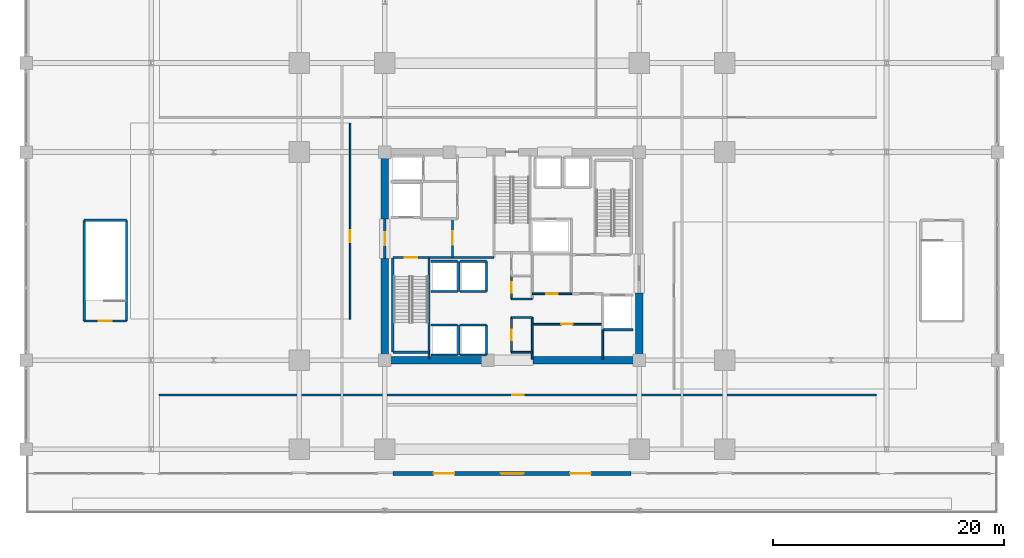
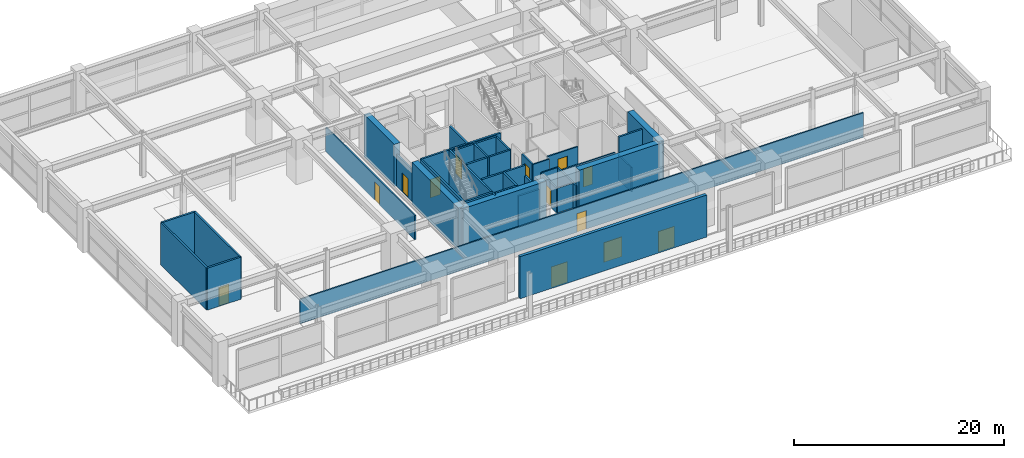
# One storey, part 30 of 35: 41 walls, 12 doors, 1 window, 13 openings.
"""IFC4 building model written with IfcOpenShell, lengths in metres."""

from ifc_helpers import new_model, si_unit, direction, frame, frame_2d, origin, place, context, subcontext, project, spatial, rectangle, extrude, material, layer, layer_set, type_object, element, fill, save


model = new_model("IFC4")

# Units and contexts
model_context = context("Model", 3, precision=1e-05, world=origin(), true_north=direction((0.0, 1.0)))
body_context = subcontext(model_context, "Body", "Model", "MODEL_VIEW")
ifc_project = project(units=[si_unit("LENGTHUNIT", "METRE"), si_unit("AREAUNIT", "SQUARE_METRE"), si_unit("VOLUMEUNIT", "CUBIC_METRE"), si_unit("PLANEANGLEUNIT", "RADIAN"), si_unit("MASSUNIT", "GRAM", prefix="KILO")], contexts=[model_context])

# Site, building, storey
site_placement = place(None, origin())
site = spatial("IfcSite", under=ifc_project, at=site_placement, CompositionType="ELEMENT")
building_placement = place(site_placement, origin())
building = spatial("IfcBuilding", under=site, at=building_placement, Name="Kovane Verandah Tower", CompositionType="ELEMENT")
storey_placement = place(building_placement, frame((0.0, 0.0, 16.39990234375)))
storey = spatial("IfcBuildingStorey", under=building, at=storey_placement, Name="L03", CompositionType="ELEMENT", Elevation=16.39990234375)

# Walls
ifc_material_1 = material(Name="Fire-Rated Gypsum Stud Partition", Category="gypsum")
ifc_layer_1 = layer(ifc_material_1, 0.14990234375)
ifc_layer_set_1 = layer_set([ifc_layer_1], Name="Fire-Rated Gypsum Stud Partition")
wall_type_1 = type_object("IfcWallType", Name="WL-COR-150", PredefinedType="PARTITIONING", material=ifc_layer_set_1)
for number, where, z_axis, x_axis, name in (
    (1, (39.949951171875, 19.199951171875, 0.0), (0.0, 0.0, 1.0), (1.0, 0.0, 0.0), "L03 Central Core Strip South Wall"),
    (2, (39.949951171875, 22.199951171875, 0.0), (0.0, 0.0, 1.0), (1.0, 0.0, 0.0), "L03 Core Cross-Passage South Wall"),
    (3, (39.949951171875, 23.800048828125, 0.0), (0.0, 0.0, 1.0), (1.0, 0.0, 0.0), "L03 Core Cross-Passage North Wall"),
):
    element("IfcWall", number, at=place(storey_placement, frame(where, z_axis=z_axis, x_axis=x_axis)), inside=storey, type_object=wall_type_1, Name=name, PredefinedType="PARTITIONING", context=body_context, shape_type="SweptSolid", body=[
        extrude(rectangle(XDim=1.81005859375, YDim=0.14990234375, at=frame_2d((0.905029296875, 0.0))), origin(), (0.0, 0.0, 1.0), 2.85009765625),
    ])
wall_1_placement = place(storey_placement, frame((41.760009765625, 18.60009765625, 0.0), z_axis=(0.0, 0.0, 1.0), x_axis=(0.0, 1.0, 0.0)))
element("IfcWall", 4, at=wall_1_placement, inside=storey, type_object=wall_type_1, Name="L03 Central Core Strip Lower East Wall", PredefinedType="PARTITIONING", context=body_context, shape_type="SweptSolid", body=[
    extrude(rectangle(XDim=3.599853515625, YDim=0.14990234375, at=frame_2d((1.7998046875, 0.0))), origin(), (0.0, 0.0, 1.0), 2.85009765625),
])

# Wall, opening, door
wall_2_placement = place(storey_placement, frame((39.949951171875, 19.199951171875, 0.0), z_axis=(0.0, 0.0, 1.0), x_axis=(0.0, 1.0, 0.0)))
wall_2 = element("IfcWall", 5, at=wall_2_placement, inside=storey, type_object=wall_type_1, Name="L03 Male Toilet Partition", PredefinedType="PARTITIONING", context=body_context, shape_type="SweptSolid", body=[
    extrude(rectangle(XDim=3.0, YDim=0.14990234375, at=frame_2d((1.5, 0.0))), origin(), (0.0, 0.0, 1.0), 2.85009765625),
])
opening_1_placement = place(wall_2_placement, frame((1.050048828125, 0.0, 0.0)))
opening_1 = element("IfcOpeningElement", 6, at=opening_1_placement, cuts=wall_2, Name="Opening DR-L03-025", PredefinedType="OPENING", context=body_context, shape_type="SweptSolid", body=[
    extrude(rectangle(XDim=0.89990234375, YDim=2.10009765625, at=frame_2d((0.449951171875, 1.050048828125))), frame((0.0, 0.074951171875, 0.0), z_axis=(0.0, -1.0, 0.0), x_axis=(1.0, 0.0, 0.0)), (0.0, 0.0, 1.0), 0.14990234375),
])
ifc_material_2 = material(Name="Moisture-Resistant Laminate Washroom Door", Category="wood")
door_type_1 = type_object("IfcDoorType", Name="DR-WC-900", OperationType="SINGLE_SWING_LEFT", PredefinedType="DOOR", material=ifc_material_2)
door_1_placement = place(opening_1_placement, origin())
door_1 = element("IfcDoor", 7, at=door_1_placement, inside=storey, type_object=door_type_1, Name="L03 Male Toilet Door", OperationType="SINGLE_SWING_LEFT", OverallHeight=2.10009765625, OverallWidth=0.89990234375, PredefinedType="DOOR", context=body_context, shape_type="SweptSolid", body=[
    extrude(rectangle(XDim=0.89990234375, YDim=2.10009765625, at=frame_2d((0.449951171875, 1.050048828125))), frame((0.0, 0.02490234375, 0.0), z_axis=(0.0, -1.0, 0.0), x_axis=(1.0, 0.0, 0.0)), (0.0, 0.0, 1.0), 0.050048828125),
])
fill(opening_1, door_1)

wall_3_placement = place(storey_placement, frame((39.949951171875, 23.800048828125, 0.0), z_axis=(0.0, 0.0, 1.0), x_axis=(0.0, 1.0, 0.0)))
wall_3 = element("IfcWall", 8, at=wall_3_placement, inside=storey, type_object=wall_type_1, Name="L03 Female Toilet Partition", PredefinedType="PARTITIONING", context=body_context, shape_type="SweptSolid", body=[
    extrude(rectangle(XDim=2.0, YDim=0.14990234375, at=frame_2d((1.0, 0.0))), origin(), (0.0, 0.0, 1.0), 2.85009765625),
])
opening_2_placement = place(wall_3_placement, frame((0.550048828125, 0.0, 0.0)))
opening_2 = element("IfcOpeningElement", 9, at=opening_2_placement, cuts=wall_3, Name="Opening DR-L03-024", PredefinedType="OPENING", context=body_context, shape_type="SweptSolid", body=[
    extrude(rectangle(XDim=0.89990234375, YDim=2.10009765625, at=frame_2d((0.449951171875, 1.050048828125))), frame((0.0, 0.074951171875, 0.0), z_axis=(0.0, -1.0, 0.0), x_axis=(1.0, 0.0, 0.0)), (0.0, 0.0, 1.0), 0.14990234375),
])
door_2_placement = place(opening_2_placement, origin())
door_2 = element("IfcDoor", 10, at=door_2_placement, inside=storey, type_object=door_type_1, Name="L03 Female Toilet Door", OperationType="SINGLE_SWING_RIGHT", OverallHeight=2.10009765625, OverallWidth=0.89990234375, PredefinedType="DOOR", context=body_context, shape_type="SweptSolid", body=[
    extrude(rectangle(XDim=0.89990234375, YDim=2.10009765625, at=frame_2d((0.449951171875, 1.050048828125))), frame((0.0, 0.02490234375, 0.0), z_axis=(0.0, -1.0, 0.0), x_axis=(1.0, 0.0, 0.0)), (0.0, 0.0, 1.0), 0.050048828125),
])
fill(opening_2, door_2)

# Wall
wall_4_placement = place(storey_placement, frame((47.85009765625, 18.60009765625, 0.0), z_axis=(0.0, 0.0, 1.0), x_axis=(0.0, 1.0, 0.0)))
element("IfcWall", 11, at=wall_4_placement, inside=storey, type_object=wall_type_1, Name="L03 East Core Support East Wall", PredefinedType="PARTITIONING", context=body_context, shape_type="SweptSolid", body=[
    extrude(rectangle(XDim=2.539794921875, YDim=0.14990234375, at=frame_2d((1.27001953125, 0.0))), origin(), (0.0, 0.0, 1.0), 2.85009765625),
])

# Wall, opening, door
wall_5_placement = place(storey_placement, frame((41.760009765625, 21.6201171875, 0.0), z_axis=(0.0, 0.0, 1.0), x_axis=(1.0, 0.0, 0.0)))
wall_5 = element("IfcWall", 12, at=wall_5_placement, inside=storey, type_object=wall_type_1, Name="L03 Records Vault Room Partition", PredefinedType="PARTITIONING", context=body_context, shape_type="SweptSolid", body=[
    extrude(rectangle(XDim=5.97998046875, YDim=0.14990234375, at=frame_2d((2.989990234375, 0.0))), origin(), (0.0, 0.0, 1.0), 2.85009765625),
])
opening_3_placement = place(wall_5_placement, frame((2.489990234375, 0.0, 0.0)))
opening_3 = element("IfcOpeningElement", 13, at=opening_3_placement, cuts=wall_5, Name="Opening DR-L03-015", PredefinedType="OPENING", context=body_context, shape_type="SweptSolid", body=[
    extrude(rectangle(XDim=1.0, YDim=2.14990234375, at=frame_2d((0.5, 1.074951171875))), frame((0.0, 0.074951171875, 0.0), z_axis=(0.0, -1.0, 0.0), x_axis=(1.0, 0.0, 0.0)), (0.0, 0.0, 1.0), 0.14990234375),
])
ifc_material_3 = material(Name="FSC Spotted-Gum Timber Fire-Rated Office Door", Category="wood")
door_type_2 = type_object("IfcDoorType", Name="DR-OFF-1000", OperationType="SINGLE_SWING_LEFT", PredefinedType="DOOR", material=ifc_material_3)
door_3_placement = place(opening_3_placement, origin())
door_3 = element("IfcDoor", 14, at=door_3_placement, inside=storey, type_object=door_type_2, Name="L03 Records Vault Room Door", OperationType="SINGLE_SWING_RIGHT", OverallHeight=2.14990234375, OverallWidth=1.0, PredefinedType="DOOR", context=body_context, shape_type="SweptSolid", body=[
    extrude(rectangle(XDim=1.0, YDim=2.14990234375, at=frame_2d((0.5, 1.074951171875))), frame((0.0, 0.02490234375, 0.0), z_axis=(0.0, -1.0, 0.0), x_axis=(1.0, 0.0, 0.0)), (0.0, 0.0, 1.0), 0.050048828125),
])
fill(opening_3, door_3)

wall_6_placement = place(storey_placement, frame((41.760009765625, 24.25, 0.0), z_axis=(0.0, 0.0, 1.0), x_axis=(1.0, 0.0, 0.0)))
wall_6 = element("IfcWall", 15, at=wall_6_placement, inside=storey, type_object=wall_type_1, Name="L03 Document Archive Room Partition", PredefinedType="PARTITIONING", context=body_context, shape_type="SweptSolid", body=[
    extrude(rectangle(XDim=3.389892578125, YDim=0.14990234375, at=frame_2d((1.69482421875, 0.0))), origin(), (0.0, 0.0, 1.0), 2.85009765625),
])
opening_4_placement = place(wall_6_placement, frame((1.195068359375, 0.0, 0.0)))
opening_4 = element("IfcOpeningElement", 16, at=opening_4_placement, cuts=wall_6, Name="Opening DR-L03-016", PredefinedType="OPENING", context=body_context, shape_type="SweptSolid", body=[
    extrude(rectangle(XDim=1.0, YDim=2.14990234375, at=frame_2d((0.5, 1.074951171875))), frame((0.0, 0.074951171875, 0.0), z_axis=(0.0, -1.0, 0.0), x_axis=(1.0, 0.0, 0.0)), (0.0, 0.0, 1.0), 0.14990234375),
])
door_4_placement = place(opening_4_placement, origin())
door_4 = element("IfcDoor", 17, at=door_4_placement, inside=storey, type_object=door_type_2, Name="L03 Document Archive Room Door", OperationType="SINGLE_SWING_LEFT", OverallHeight=2.14990234375, OverallWidth=1.0, PredefinedType="DOOR", context=body_context, shape_type="SweptSolid", body=[
    extrude(rectangle(XDim=1.0, YDim=2.14990234375, at=frame_2d((0.5, 1.074951171875))), frame((0.0, 0.02490234375, 0.0), z_axis=(0.0, -1.0, 0.0), x_axis=(1.0, 0.0, 0.0)), (0.0, 0.0, 1.0), 0.050048828125),
])
fill(opening_4, door_4)

wall_7_placement = place(storey_placement, frame((9.5, 15.5, 0.0), z_axis=(0.0, 0.0, 1.0), x_axis=(1.0, 0.0, 0.0)))
wall_7 = element("IfcWall", 18, at=wall_7_placement, inside=storey, type_object=wall_type_1, Name="L03 South Conference Centre Corridor Partition", PredefinedType="PARTITIONING", context=body_context, shape_type="SweptSolid", body=[
    extrude(rectangle(XDim=62.0, YDim=0.14990234375, at=frame_2d((31.0, 0.0))), origin(), (0.0, 0.0, 1.0), 2.85009765625),
])
opening_5_placement = place(wall_7_placement, frame((30.5, 0.0, 0.0)))
opening_5 = element("IfcOpeningElement", 19, at=opening_5_placement, cuts=wall_7, Name="Opening DR-L03-020", PredefinedType="OPENING", context=body_context, shape_type="SweptSolid", body=[
    extrude(rectangle(XDim=1.0, YDim=2.14990234375, at=frame_2d((0.5, 1.074951171875))), frame((0.0, 0.074951171875, 0.0), z_axis=(0.0, -1.0, 0.0), x_axis=(1.0, 0.0, 0.0)), (0.0, 0.0, 1.0), 0.14990234375),
])
door_5_placement = place(opening_5_placement, origin())
door_5 = element("IfcDoor", 20, at=door_5_placement, inside=storey, type_object=door_type_2, Name="L03 South Conference Centre Entrance Door", OperationType="SINGLE_SWING_LEFT", OverallHeight=2.14990234375, OverallWidth=1.0, PredefinedType="DOOR", context=body_context, shape_type="SweptSolid", body=[
    extrude(rectangle(XDim=1.0, YDim=2.14990234375, at=frame_2d((0.5, 1.074951171875))), frame((0.0, 0.02490234375, 0.0), z_axis=(0.0, -1.0, 0.0), x_axis=(1.0, 0.0, 0.0)), (0.0, 0.0, 1.0), 0.050048828125),
])
fill(opening_5, door_5)

wall_8_placement = place(storey_placement, frame((26.0, 22.050048828125, 0.0), z_axis=(0.0, 0.0, 1.0), x_axis=(0.0, 1.0, 0.0)))
wall_8 = element("IfcWall", 21, at=wall_8_placement, inside=storey, type_object=wall_type_1, Name="L03 West Client Advisory Suite Corridor Partition", PredefinedType="PARTITIONING", context=body_context, shape_type="SweptSolid", body=[
    extrude(rectangle(XDim=16.949951171875, YDim=0.14990234375, at=frame_2d((8.47509765625, 0.0))), origin(), (0.0, 0.0, 1.0), 2.85009765625),
])
opening_6_placement = place(wall_8_placement, frame((6.675048828125, 0.0, 0.0)))
opening_6 = element("IfcOpeningElement", 22, at=opening_6_placement, cuts=wall_8, Name="Opening DR-L03-022", PredefinedType="OPENING", context=body_context, shape_type="SweptSolid", body=[
    extrude(rectangle(XDim=1.0, YDim=2.14990234375, at=frame_2d((0.5, 1.074951171875))), frame((0.0, 0.074951171875, 0.0), z_axis=(0.0, -1.0, 0.0), x_axis=(1.0, 0.0, 0.0)), (0.0, 0.0, 1.0), 0.14990234375),
])
door_6_placement = place(opening_6_placement, origin())
door_6 = element("IfcDoor", 23, at=door_6_placement, inside=storey, type_object=door_type_2, Name="L03 West Client Advisory Suite Entrance Door", OperationType="SINGLE_SWING_RIGHT", OverallHeight=2.14990234375, OverallWidth=1.0, PredefinedType="DOOR", context=body_context, shape_type="SweptSolid", body=[
    extrude(rectangle(XDim=1.0, YDim=2.14990234375, at=frame_2d((0.5, 1.074951171875))), frame((0.0, 0.02490234375, 0.0), z_axis=(0.0, -1.0, 0.0), x_axis=(1.0, 0.0, 0.0)), (0.0, 0.0, 1.0), 0.050048828125),
])
fill(opening_6, door_6)

# Walls
ifc_material_4 = material(Name="Concrete C80/95", Category="concrete")
ifc_layer_2 = layer(ifc_material_4, 0.64990234375)
ifc_layer_set_2 = layer_set([ifc_layer_2], Name="Concrete C80/95")
wall_type_2 = type_object("IfcWallType", Name="WL-CORE-650", PredefinedType="SHEAR", material=ifc_layer_set_2)
for number, where, z_axis, x_axis, name in (
    (24, (29.0, 18.5, 0.0), (0.0, 0.0, 1.0), (1.0, 0.0, 0.0), "L03 Core Shear Wall CS-1"),
    (25, (41.800048828125, 18.5, 0.0), (0.0, 0.0, 1.0), (1.0, 0.0, 0.0), "L03 Core Shear Wall CS-2"),
):
    element("IfcWall", number, at=place(storey_placement, frame(where, z_axis=z_axis, x_axis=x_axis)), inside=storey, type_object=wall_type_2, Name=name, PredefinedType="SHEAR", context=body_context, shape_type="SweptSolid", body=[
        extrude(rectangle(XDim=9.199951171875, YDim=0.64990234375, at=frame_2d((4.60009765625, 0.0))), origin(), (0.0, 0.0, 1.0), 4.900146484375),
    ])
wall_9_placement = place(storey_placement, frame((29.0, 18.5, 0.0), z_axis=(0.0, 0.0, 1.0), x_axis=(0.0, 1.0, 0.0)))
element("IfcWall", 26, at=wall_9_placement, inside=storey, type_object=wall_type_2, Name="L03 Core Shear Wall CW-1", PredefinedType="SHEAR", context=body_context, shape_type="SweptSolid", body=[
    extrude(rectangle(XDim=8.800048828125, YDim=0.64990234375, at=frame_2d((4.39990234375, 0.0))), origin(), (0.0, 0.0, 1.0), 4.900146484375),
])
for number, where, z_axis, x_axis, name in (
    (27, (29.0, 30.699951171875, 0.0), (0.0, 0.0, 1.0), (0.0, 1.0, 0.0), "L03 Core Shear Wall CW-2"),
    (28, (51.0, 18.5, 0.0), (0.0, 0.0, 1.0), (0.0, 1.0, 0.0), "L03 Core Shear Wall CE-1"),
):
    element("IfcWall", number, at=place(storey_placement, frame(where, z_axis=z_axis, x_axis=x_axis)), inside=storey, type_object=wall_type_2, Name=name, PredefinedType="SHEAR", context=body_context, shape_type="SweptSolid", body=[
        extrude(rectangle(XDim=5.800048828125, YDim=0.64990234375, at=frame_2d((2.89990234375, 0.0))), origin(), (0.0, 0.0, 1.0), 4.900146484375),
    ])

# Wall, opening, door
ifc_material_5 = material(Name="Concrete C45/55 Fire Wall", Category="concrete")
ifc_layer_3 = layer(ifc_material_5, 0.199951171875)
ifc_layer_set_3 = layer_set([ifc_layer_3], Name="Concrete C45/55 Fire Wall")
wall_type_3 = type_object("IfcWallType", Name="WL-FFL-200", PredefinedType="PARTITIONING", material=ifc_layer_set_3)
wall_10_placement = place(storey_placement, frame((34.85009765625, 27.3798828125, 0.0), z_axis=(0.0, 0.0, 1.0), x_axis=(0.0, 1.0, 0.0)))
wall_10 = element("IfcWall", 29, at=wall_10_placement, inside=storey, type_object=wall_type_3, Name="W-L03-FFLW-E", PredefinedType="PARTITIONING", context=body_context, shape_type="SweptSolid", body=[
    extrude(rectangle(XDim=3.3701171875, YDim=0.199951171875, at=frame_2d((1.68505859375, 0.0))), origin(), (0.0, 0.0, 1.0), 4.900146484375),
])
opening_7_placement = place(wall_10_placement, frame((1.110107421875, 0.0, 0.0)))
opening_7 = element("IfcOpeningElement", 30, at=opening_7_placement, cuts=wall_10, Name="Opening DR-L03-004", PredefinedType="OPENING", context=body_context, shape_type="SweptSolid", body=[
    extrude(rectangle(XDim=1.14990234375, YDim=2.199951171875, at=frame_2d((0.574951171875, 1.10009765625))), frame((0.0, 0.10009765625, 0.0), z_axis=(0.0, -1.0, 0.0), x_axis=(1.0, 0.0, 0.0)), (0.0, 0.0, 1.0), 0.199951171875),
])
ifc_material_6 = material(Name="Smoke-Sealed Firefighting Lobby Door", Category="steel")
door_type_3 = type_object("IfcDoorType", Name="DR-FFL-1150", OperationType="SINGLE_SWING_LEFT", PredefinedType="DOOR", material=ifc_material_6)
door_7_placement = place(opening_7_placement, origin())
door_7 = element("IfcDoor", 31, at=door_7_placement, inside=storey, type_object=door_type_3, Name="L03 West Firefighting Lobby Inner Door", OperationType="SINGLE_SWING_LEFT", OverallHeight=2.199951171875, OverallWidth=1.14990234375, PredefinedType="DOOR", context=body_context, shape_type="SweptSolid", body=[
    extrude(rectangle(XDim=1.14990234375, YDim=2.199951171875, at=frame_2d((0.574951171875, 1.10009765625))), frame((0.0, 0.02490234375, 0.0), z_axis=(0.0, -1.0, 0.0), x_axis=(1.0, 0.0, 0.0)), (0.0, 0.0, 1.0), 0.050048828125),
])
fill(opening_7, door_7)

wall_11_placement = place(storey_placement, frame((29.0, 27.300048828125, 0.0), z_axis=(0.0, 0.0, 1.0), x_axis=(0.0, 1.0, 0.0)))
wall_11 = element("IfcWall", 32, at=wall_11_placement, inside=storey, type_object=wall_type_3, Name="W-L03-FFLW-OUT", PredefinedType="PARTITIONING", context=body_context, shape_type="SweptSolid", body=[
    extrude(rectangle(XDim=3.39990234375, YDim=0.199951171875, at=frame_2d((1.699951171875, 0.0))), origin(), (0.0, 0.0, 1.0), 3.68017578125),
])
opening_8_placement = place(wall_11_placement, frame((1.125, 0.0, 0.0)))
opening_8 = element("IfcOpeningElement", 33, at=opening_8_placement, cuts=wall_11, Name="Opening DR-L03-005", PredefinedType="OPENING", context=body_context, shape_type="SweptSolid", body=[
    extrude(rectangle(XDim=1.14990234375, YDim=2.199951171875, at=frame_2d((0.574951171875, 1.10009765625))), frame((0.0, 0.10009765625, 0.0), z_axis=(0.0, -1.0, 0.0), x_axis=(1.0, 0.0, 0.0)), (0.0, 0.0, 1.0), 0.199951171875),
])
door_8_placement = place(opening_8_placement, origin())
door_8 = element("IfcDoor", 34, at=door_8_placement, inside=storey, type_object=door_type_3, Name="L03 West Firefighting Lobby Corridor Door", OperationType="SINGLE_SWING_RIGHT", OverallHeight=2.199951171875, OverallWidth=1.14990234375, PredefinedType="DOOR", context=body_context, shape_type="SweptSolid", body=[
    extrude(rectangle(XDim=1.14990234375, YDim=2.199951171875, at=frame_2d((0.574951171875, 1.10009765625))), frame((0.0, 0.02490234375, 0.0), z_axis=(0.0, -1.0, 0.0), x_axis=(1.0, 0.0, 0.0)), (0.0, 0.0, 1.0), 0.050048828125),
])
fill(opening_8, door_8)

# Walls
wall_12_placement = place(storey_placement, frame((32.820068359375, 27.3798828125, 0.0), z_axis=(0.0, 0.0, 1.0), x_axis=(1.0, 0.0, 0.0)))
element("IfcWall", 35, at=wall_12_placement, inside=storey, type_object=wall_type_3, Name="L03 West Firefighting Lobby South Fire Wall", PredefinedType="PARTITIONING", context=body_context, shape_type="SweptSolid", body=[
    extrude(rectangle(XDim=5.619873046875, YDim=0.199951171875, at=frame_2d((2.81005859375, 0.0))), origin(), (0.0, 0.0, 1.0), 4.900146484375),
])
ifc_material_7 = material(Name="Concrete C45/55 Lift Shaft Wall", Category="concrete")
ifc_layer_4 = layer(ifc_material_7, 0.199951171875)
ifc_layer_set_4 = layer_set([ifc_layer_4], Name="Concrete C45/55 Lift Shaft Wall")
wall_type_4 = type_object("IfcWallType", Name="WL-LIFT-200", PredefinedType="SOLIDWALL", material=ifc_layer_set_4)
wall_13_placement = place(storey_placement, frame((47.85009765625, 21.14990234375, 0.0), z_axis=(0.0, 0.0, 1.0), x_axis=(1.0, 0.0, 0.0)))
element("IfcWall", 36, at=wall_13_placement, inside=storey, type_object=wall_type_4, Name="L03 Lift FL-02 S Shaft Wall", PredefinedType="SOLIDWALL", context=body_context, shape_type="SweptSolid", body=[
    extrude(rectangle(XDim=2.599853515625, YDim=0.199951171875, at=frame_2d((1.2998046875, 0.0))), origin(), (0.0, 0.0, 1.0), 4.900146484375),
])
for number, where, z_axis, x_axis, name in (
    (37, (33.0, 18.949951171875, 0.0), (0.0, 0.0, 1.0), (1.0, 0.0, 0.0), "L03 Lift PL-L1 S Shaft Wall"),
    (38, (35.300048828125, 21.550048828125, 0.0), (0.0, 0.0, 1.0), (-1.0, 0.0, 0.0), "L03 Lift PL-L1 N Shaft Wall"),
):
    element("IfcWall", number, at=place(storey_placement, frame(where, z_axis=z_axis, x_axis=x_axis)), inside=storey, type_object=wall_type_4, Name=name, PredefinedType="SOLIDWALL", context=body_context, shape_type="SweptSolid", body=[
        extrude(rectangle(XDim=2.300048828125, YDim=0.199951171875, at=frame_2d((1.14990234375, 0.0))), origin(), (0.0, 0.0, 1.0), 4.900146484375),
    ])
wall_14_placement = place(storey_placement, frame((35.39990234375, 18.949951171875, 0.0), z_axis=(0.0, 0.0, 1.0), x_axis=(0.0, 1.0, 0.0)))
element("IfcWall", 39, at=wall_14_placement, inside=storey, type_object=wall_type_4, Name="L03 Lift PL-L1 and PL-L2 Shared Shaft Wall", PredefinedType="SOLIDWALL", context=body_context, shape_type="SweptSolid", body=[
    extrude(rectangle(XDim=2.60009765625, YDim=0.199951171875, at=frame_2d((1.300048828125, 0.0))), origin(), (0.0, 0.0, 1.0), 4.900146484375),
])
wall_15_placement = place(storey_placement, frame((35.5, 18.949951171875, 0.0), z_axis=(0.0, 0.0, 1.0), x_axis=(1.0, 0.0, 0.0)))
element("IfcWall", 40, at=wall_15_placement, inside=storey, type_object=wall_type_4, Name="L03 Lift PL-L2 S Shaft Wall", PredefinedType="SOLIDWALL", context=body_context, shape_type="SweptSolid", body=[
    extrude(rectangle(XDim=2.300048828125, YDim=0.199951171875, at=frame_2d((1.14990234375, 0.0))), origin(), (0.0, 0.0, 1.0), 3.68017578125),
])
wall_16_placement = place(storey_placement, frame((37.800048828125, 21.550048828125, 0.0), z_axis=(0.0, 0.0, 1.0), x_axis=(-1.0, 0.0, 0.0)))
element("IfcWall", 41, at=wall_16_placement, inside=storey, type_object=wall_type_4, Name="L03 Lift PL-L2 N Shaft Wall", PredefinedType="SOLIDWALL", context=body_context, shape_type="SweptSolid", body=[
    extrude(rectangle(XDim=2.300048828125, YDim=0.199951171875, at=frame_2d((1.14990234375, 0.0))), origin(), (0.0, 0.0, 1.0), 4.900146484375),
])
wall_17_placement = place(storey_placement, frame((37.800048828125, 18.949951171875, 0.0), z_axis=(0.0, 0.0, 1.0), x_axis=(0.0, 1.0, 0.0)))
element("IfcWall", 42, at=wall_17_placement, inside=storey, type_object=wall_type_4, Name="L03 Lift PL-L2 E Shaft Wall", PredefinedType="SOLIDWALL", context=body_context, shape_type="SweptSolid", body=[
    extrude(rectangle(XDim=2.60009765625, YDim=0.199951171875, at=frame_2d((1.300048828125, 0.0))), origin(), (0.0, 0.0, 1.0), 3.68017578125),
])
for number, where, z_axis, x_axis, name in (
    (43, (33.0, 24.449951171875, 0.0), (0.0, 0.0, 1.0), (1.0, 0.0, 0.0), "L03 Lift PL-L3 S Shaft Wall"),
    (44, (35.300048828125, 27.050048828125, 0.0), (0.0, 0.0, 1.0), (-1.0, 0.0, 0.0), "L03 Lift PL-L3 N Shaft Wall"),
):
    element("IfcWall", number, at=place(storey_placement, frame(where, z_axis=z_axis, x_axis=x_axis)), inside=storey, type_object=wall_type_4, Name=name, PredefinedType="SOLIDWALL", context=body_context, shape_type="SweptSolid", body=[
        extrude(rectangle(XDim=2.300048828125, YDim=0.199951171875, at=frame_2d((1.14990234375, 0.0))), origin(), (0.0, 0.0, 1.0), 4.900146484375),
    ])
wall_18_placement = place(storey_placement, frame((35.39990234375, 24.449951171875, 0.0), z_axis=(0.0, 0.0, 1.0), x_axis=(0.0, 1.0, 0.0)))
element("IfcWall", 45, at=wall_18_placement, inside=storey, type_object=wall_type_4, Name="L03 Lift PL-L3 and PL-L4 Shared Shaft Wall", PredefinedType="SOLIDWALL", context=body_context, shape_type="SweptSolid", body=[
    extrude(rectangle(XDim=2.60009765625, YDim=0.199951171875, at=frame_2d((1.300048828125, 0.0))), origin(), (0.0, 0.0, 1.0), 4.900146484375),
])
for number, where, z_axis, x_axis, name in (
    (46, (35.5, 24.449951171875, 0.0), (0.0, 0.0, 1.0), (1.0, 0.0, 0.0), "L03 Lift PL-L4 S Shaft Wall"),
    (47, (37.800048828125, 27.050048828125, 0.0), (0.0, 0.0, 1.0), (-1.0, 0.0, 0.0), "L03 Lift PL-L4 N Shaft Wall"),
):
    element("IfcWall", number, at=place(storey_placement, frame(where, z_axis=z_axis, x_axis=x_axis)), inside=storey, type_object=wall_type_4, Name=name, PredefinedType="SOLIDWALL", context=body_context, shape_type="SweptSolid", body=[
        extrude(rectangle(XDim=2.300048828125, YDim=0.199951171875, at=frame_2d((1.14990234375, 0.0))), origin(), (0.0, 0.0, 1.0), 4.900146484375),
    ])
wall_19_placement = place(storey_placement, frame((37.800048828125, 24.449951171875, 0.0), z_axis=(0.0, 0.0, 1.0), x_axis=(0.0, 1.0, 0.0)))
element("IfcWall", 48, at=wall_19_placement, inside=storey, type_object=wall_type_4, Name="L03 Lift PL-L4 E Shaft Wall", PredefinedType="SOLIDWALL", context=body_context, shape_type="SweptSolid", body=[
    extrude(rectangle(XDim=2.60009765625, YDim=0.199951171875, at=frame_2d((1.300048828125, 0.0))), origin(), (0.0, 0.0, 1.0), 4.900146484375),
])

# Wall, openings, doors, window
ifc_material_8 = material(Name="Concrete C45/55 Podium Facade Wall", Category="concrete")
ifc_layer_5 = layer(ifc_material_8, 0.320068359375)
ifc_layer_set_5 = layer_set([ifc_layer_5], Name="Concrete C45/55 Podium Facade Wall")
wall_type_5 = type_object("IfcWallType", Name="WL-POD-320", PredefinedType="SOLIDWALL", material=ifc_layer_set_5)
wall_20_placement = place(storey_placement, frame((29.719970703125, 8.699951171875, 0.0), z_axis=(0.0, 0.0, 1.0), x_axis=(1.0, 0.0, 0.0)))
wall_20 = element("IfcWall", 49, at=wall_20_placement, inside=storey, type_object=wall_type_5, Name="L03 South Cascading Terrace Access Wall", PredefinedType="SOLIDWALL", context=body_context, shape_type="SweptSolid", body=[
    extrude(rectangle(XDim=20.56005859375, YDim=0.320068359375, at=frame_2d((10.280029296875, 0.0))), origin(), (0.0, 0.0, 1.0), 4.900146484375),
])
opening_9_placement = place(wall_20_placement, frame((3.5, 0.0, 0.0)))
opening_9 = element("IfcOpeningElement", 50, at=opening_9_placement, cuts=wall_20, Name="Opening DR-L03-012", PredefinedType="OPENING", context=body_context, shape_type="SweptSolid", body=[
    extrude(rectangle(XDim=1.800048828125, YDim=2.39990234375, at=frame_2d((0.89990234375, 1.199951171875))), frame((0.0, 0.16015625, 0.0), z_axis=(0.0, -1.0, 0.0), x_axis=(1.0, 0.0, 0.0)), (0.0, 0.0, 1.0), 0.320068359375),
])
opening_10_placement = place(wall_20_placement, frame((9.300048828125, 0.0, 0.89990234375)))
opening_10 = element("IfcOpeningElement", 51, at=opening_10_placement, cuts=wall_20, Name="Opening W-04", PredefinedType="OPENING", context=body_context, shape_type="SweptSolid", body=[
    extrude(rectangle(XDim=2.0, YDim=2.300048828125, at=frame_2d((1.0, 1.14990234375))), frame((0.0, 0.16015625, 0.0), z_axis=(0.0, -1.0, 0.0), x_axis=(1.0, 0.0, 0.0)), (0.0, 0.0, 1.0), 0.320068359375),
])
opening_11_placement = place(wall_20_placement, frame((15.300048828125, 0.0, 0.0)))
opening_11 = element("IfcOpeningElement", 52, at=opening_11_placement, cuts=wall_20, Name="Opening DR-L03-013", PredefinedType="OPENING", context=body_context, shape_type="SweptSolid", body=[
    extrude(rectangle(XDim=1.800048828125, YDim=2.39990234375, at=frame_2d((0.89990234375, 1.199951171875))), frame((0.0, 0.16015625, 0.0), z_axis=(0.0, -1.0, 0.0), x_axis=(1.0, 0.0, 0.0)), (0.0, 0.0, 1.0), 0.320068359375),
])
ifc_material_9 = material(Name="Cyclone-Rated Glazed Verandah Double Door", Category="aluminium")
door_type_4 = type_object("IfcDoorType", Name="DR-TERR-1800x2400", OperationType="DOUBLE_DOOR_SINGLE_SWING", PredefinedType="DOOR", material=ifc_material_9)
door_9_placement = place(opening_9_placement, origin())
door_9 = element("IfcDoor", 53, at=door_9_placement, inside=storey, type_object=door_type_4, Name="L03 Garden Step Terrace Door 1", OperationType="DOUBLE_DOOR_SINGLE_SWING", OverallHeight=2.39990234375, OverallWidth=1.800048828125, PredefinedType="DOOR", context=body_context, shape_type="SweptSolid", body=[
    extrude(rectangle(XDim=1.800048828125, YDim=2.39990234375, at=frame_2d((0.89990234375, 1.199951171875))), frame((0.0, 0.02490234375, 0.0), z_axis=(0.0, -1.0, 0.0), x_axis=(1.0, 0.0, 0.0)), (0.0, 0.0, 1.0), 0.050048828125),
])
fill(opening_9, door_9)
door_10_placement = place(opening_11_placement, origin())
door_10 = element("IfcDoor", 54, at=door_10_placement, inside=storey, type_object=door_type_4, Name="L03 Garden Step Terrace Door 2", OperationType="DOUBLE_DOOR_SINGLE_SWING", OverallHeight=2.39990234375, OverallWidth=1.800048828125, PredefinedType="DOOR", context=body_context, shape_type="SweptSolid", body=[
    extrude(rectangle(XDim=1.800048828125, YDim=2.39990234375, at=frame_2d((0.89990234375, 1.199951171875))), frame((0.0, 0.02490234375, 0.0), z_axis=(0.0, -1.0, 0.0), x_axis=(1.0, 0.0, 0.0)), (0.0, 0.0, 1.0), 0.050048828125),
])
fill(opening_11, door_10)
ifc_material_10 = material(Name="Clear Low-E Laminated Double Glazing in Anodised Frame", Category="glass")
window_type = type_object("IfcWindowType", Name="WN-FIXED-2000x2300", PartitioningType="SINGLE_PANEL", PredefinedType="WINDOW", material=ifc_material_10)
window_placement = place(opening_10_placement, origin())
window = element("IfcWindow", 55, at=window_placement, inside=storey, type_object=window_type, Name="L03 South Terrace View Window", OverallHeight=2.300048828125, OverallWidth=2.0, PartitioningType="SINGLE_PANEL", PredefinedType="WINDOW", context=body_context, shape_type="SweptSolid", body=[
    extrude(rectangle(XDim=2.0, YDim=2.300048828125, at=frame_2d((1.0, 1.14990234375))), frame((0.0, 0.030029296875, 0.0), z_axis=(0.0, -1.0, 0.0), x_axis=(1.0, 0.0, 0.0)), (0.0, 0.0, 1.0), 0.06005859375),
])
fill(opening_10, window)

# Walls
ifc_material_11 = material(Name="Concrete C45/55", Category="concrete")
ifc_layer_6 = layer(ifc_material_11, 0.199951171875)
ifc_layer_set_6 = layer_set([ifc_layer_6], Name="Concrete C45/55")
wall_type_6 = type_object("IfcWallType", Name="WL-SHAFT-200", PredefinedType="SOLIDWALL", material=ifc_layer_set_6)
wall_21_placement = place(storey_placement, frame((29.699951171875, 19.199951171875, 0.0), z_axis=(0.0, 0.0, 1.0), x_axis=(0.0, 1.0, 0.0)))
element("IfcWall", 56, at=wall_21_placement, inside=storey, type_object=wall_type_6, Name="W-L03-ST01-W", PredefinedType="SOLIDWALL", context=body_context, shape_type="SweptSolid", body=[
    extrude(rectangle(XDim=8.150146484375, YDim=0.199951171875, at=frame_2d((4.0751953125, 0.0))), origin(), (0.0, 0.0, 1.0), 4.900146484375),
])
wall_22_placement = place(storey_placement, frame((29.699951171875, 19.199951171875, 0.0), z_axis=(0.0, 0.0, 1.0), x_axis=(1.0, 0.0, 0.0)))
element("IfcWall", 57, at=wall_22_placement, inside=storey, type_object=wall_type_6, Name="W-L03-ST01-S", PredefinedType="SOLIDWALL", context=body_context, shape_type="SweptSolid", body=[
    extrude(rectangle(XDim=3.1201171875, YDim=0.199951171875, at=frame_2d((1.56005859375, 0.0))), origin(), (0.0, 0.0, 1.0), 4.900146484375),
])
wall_23_placement = place(storey_placement, frame((32.820068359375, 18.60009765625, 0.0), z_axis=(0.0, 0.0, 1.0), x_axis=(0.0, 1.0, 0.0)))
element("IfcWall", 58, at=wall_23_placement, inside=storey, type_object=wall_type_6, Name="W-L03-ST01-E", PredefinedType="SOLIDWALL", context=body_context, shape_type="SweptSolid", body=[
    extrude(rectangle(XDim=8.77978515625, YDim=0.199951171875, at=frame_2d((4.389892578125, 0.0))), origin(), (0.0, 0.0, 1.0), 4.900146484375),
])

# Wall, opening, door
wall_24_placement = place(storey_placement, frame((29.699951171875, 27.3798828125, 0.0), z_axis=(0.0, 0.0, 1.0), x_axis=(1.0, 0.0, 0.0)))
wall_24 = element("IfcWall", 59, at=wall_24_placement, inside=storey, type_object=wall_type_6, Name="W-L03-ST01-N", PredefinedType="SOLIDWALL", context=body_context, shape_type="SweptSolid", body=[
    extrude(rectangle(XDim=3.1201171875, YDim=0.199951171875, at=frame_2d((1.56005859375, 0.0))), origin(), (0.0, 0.0, 1.0), 4.900146484375),
])
opening_12_placement = place(wall_24_placement, frame((1.010009765625, 0.0, 0.0)))
opening_12 = element("IfcOpeningElement", 60, at=opening_12_placement, cuts=wall_24, Name="Opening DR-L03-007", PredefinedType="OPENING", context=body_context, shape_type="SweptSolid", body=[
    extrude(rectangle(XDim=1.10009765625, YDim=2.14990234375, at=frame_2d((0.550048828125, 1.074951171875))), frame((0.0, 0.10009765625, 0.0), z_axis=(0.0, -1.0, 0.0), x_axis=(1.0, 0.0, 0.0)), (0.0, 0.0, 1.0), 0.199951171875),
])
ifc_material_12 = material(Name="Fire-Rated Steel Exit Door", Category="steel")
door_type_5 = type_object("IfcDoorType", Name="DR-STAIR-1100", OperationType="SINGLE_SWING_LEFT", PredefinedType="DOOR", material=ifc_material_12)
door_11_placement = place(opening_12_placement, origin())
door_11 = element("IfcDoor", 61, at=door_11_placement, inside=storey, type_object=door_type_5, Name="L03 ST-01 Fire Exit Stair Door", OperationType="SINGLE_SWING_RIGHT", OverallHeight=2.14990234375, OverallWidth=1.10009765625, PredefinedType="DOOR", context=body_context, shape_type="SweptSolid", body=[
    extrude(rectangle(XDim=1.10009765625, YDim=2.14990234375, at=frame_2d((0.550048828125, 1.074951171875))), frame((0.0, 0.02490234375, 0.0), z_axis=(0.0, -1.0, 0.0), x_axis=(1.0, 0.0, 0.0)), (0.0, 0.0, 1.0), 0.050048828125),
])
fill(opening_12, door_11)

# Walls
for number, where, z_axis, x_axis, name in (
    (62, (3.0, 21.89990234375, 0.0), (0.0, 0.0, 1.0), (0.0, 1.0, 0.0), "W-L03-ST-04-W"),
    (63, (6.659912109375, 21.89990234375, 0.0), (0.0, 0.0, 1.0), (0.0, 1.0, 0.0), "W-L03-ST-04-E"),
):
    element("IfcWall", number, at=place(storey_placement, frame(where, z_axis=z_axis, x_axis=x_axis)), inside=storey, type_object=wall_type_6, Name=name, PredefinedType="SOLIDWALL", context=body_context, shape_type="SweptSolid", body=[
        extrude(rectangle(XDim=8.7001953125, YDim=0.199951171875, at=frame_2d((4.35009765625, 0.0))), origin(), (0.0, 0.0, 1.0), 4.900146484375),
    ])
wall_25_placement = place(storey_placement, frame((3.0, 30.60009765625, 0.0), z_axis=(0.0, 0.0, 1.0), x_axis=(1.0, 0.0, 0.0)))
element("IfcWall", 64, at=wall_25_placement, inside=storey, type_object=wall_type_6, Name="W-L03-ST-04-N", PredefinedType="SOLIDWALL", context=body_context, shape_type="SweptSolid", body=[
    extrude(rectangle(XDim=3.659912109375, YDim=0.199951171875, at=frame_2d((1.830078125, 0.0))), origin(), (0.0, 0.0, 1.0), 4.900146484375),
])

# Wall, opening, door
wall_26_placement = place(storey_placement, frame((3.0, 21.89990234375, 0.0), z_axis=(0.0, 0.0, 1.0), x_axis=(1.0, 0.0, 0.0)))
wall_26 = element("IfcWall", 65, at=wall_26_placement, inside=storey, type_object=wall_type_6, Name="W-L03-ST-04-S", PredefinedType="SOLIDWALL", context=body_context, shape_type="SweptSolid", body=[
    extrude(rectangle(XDim=3.659912109375, YDim=0.199951171875, at=frame_2d((1.830078125, 0.0))), origin(), (0.0, 0.0, 1.0), 4.900146484375),
])
opening_13_placement = place(wall_26_placement, frame((1.280029296875, 0.0, 0.0)))
opening_13 = element("IfcOpeningElement", 66, at=opening_13_placement, cuts=wall_26, Name="Opening DR-L03-010", PredefinedType="OPENING", context=body_context, shape_type="SweptSolid", body=[
    extrude(rectangle(XDim=1.10009765625, YDim=2.14990234375, at=frame_2d((0.550048828125, 1.074951171875))), frame((0.0, 0.10009765625, 0.0), z_axis=(0.0, -1.0, 0.0), x_axis=(1.0, 0.0, 0.0)), (0.0, 0.0, 1.0), 0.199951171875),
])
door_12_placement = place(opening_13_placement, origin())
door_12 = element("IfcDoor", 67, at=door_12_placement, inside=storey, type_object=door_type_5, Name="L03 ST-04 Fire Exit Stair Door", OperationType="SINGLE_SWING_LEFT", OverallHeight=2.14990234375, OverallWidth=1.10009765625, PredefinedType="DOOR", context=body_context, shape_type="SweptSolid", body=[
    extrude(rectangle(XDim=1.10009765625, YDim=2.14990234375, at=frame_2d((0.550048828125, 1.074951171875))), frame((0.0, 0.02490234375, 0.0), z_axis=(0.0, -1.0, 0.0), x_axis=(1.0, 0.0, 0.0)), (0.0, 0.0, 1.0), 0.050048828125),
])
fill(opening_13, door_12)

save(model, "model.ifc")
